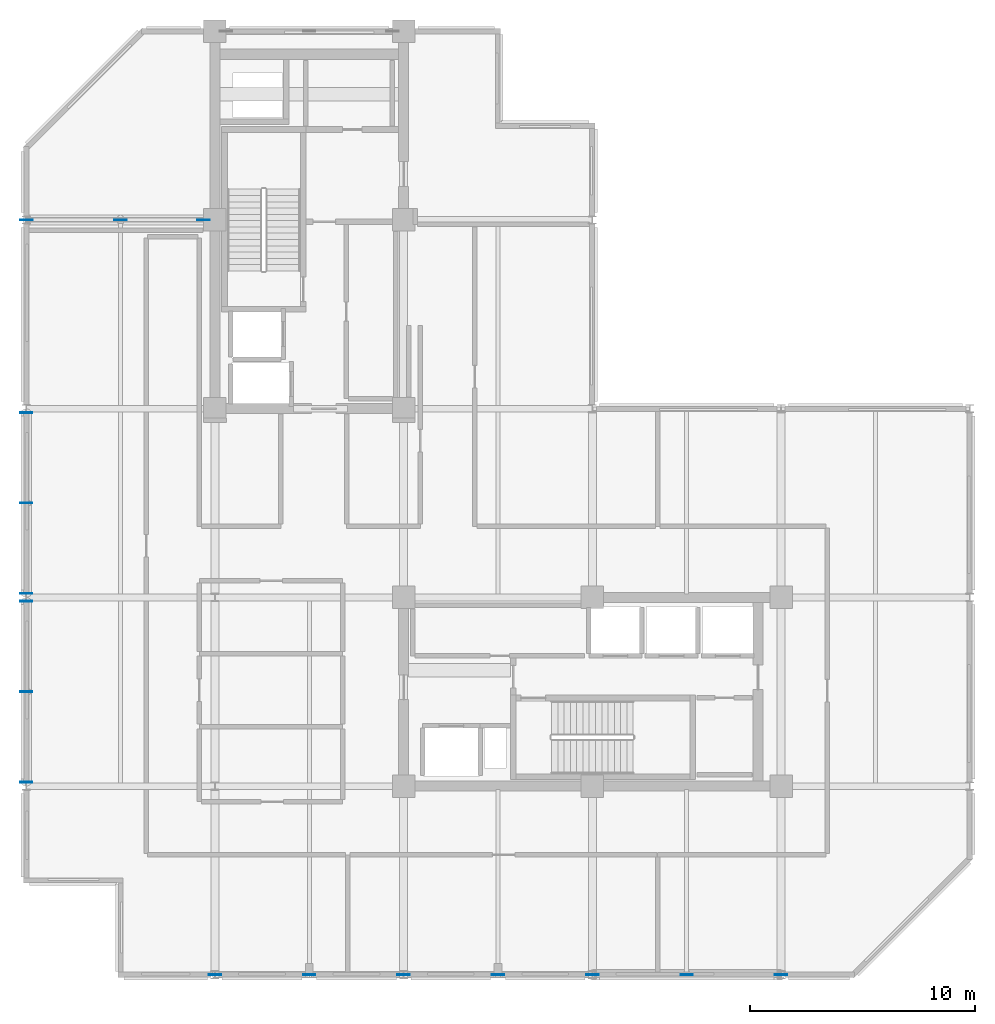
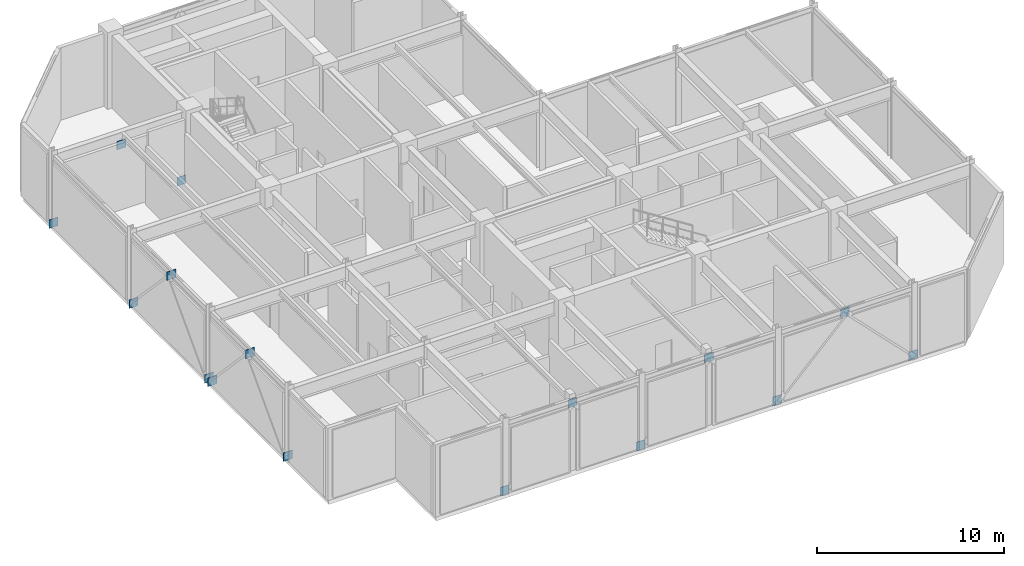
# One storey, part 3 of 10: 16 plates.
"""IFC4 building model written with IfcOpenShell, lengths in metres."""

from ifc_helpers import new_model, si_unit, direction, frame, origin, origin_2d, place, context, subcontext, project, spatial, rectangle, extrude, material, layer, layer_set, type_object, element, save


model = new_model("IFC4")

# Units and contexts
model_context = context("Model", 3, precision=1e-05, world=origin(), true_north=direction((0.0, 1.0)))
body_context = subcontext(model_context, "Body", "Model", "MODEL_VIEW")
ifc_project = project(units=[si_unit("LENGTHUNIT", "METRE"), si_unit("AREAUNIT", "SQUARE_METRE"), si_unit("VOLUMEUNIT", "CUBIC_METRE"), si_unit("PLANEANGLEUNIT", "RADIAN"), si_unit("MASSUNIT", "GRAM", prefix="KILO")], contexts=[model_context])

# Site, building, storey
site_placement = place(None, origin())
site = spatial("IfcSite", under=ifc_project, at=site_placement, CompositionType="ELEMENT")
building_placement = place(site_placement, origin())
building = spatial("IfcBuilding", under=site, at=building_placement, Name="Nerrivon Quay Data Exchange", CompositionType="ELEMENT")
storey_placement = place(building_placement, frame((0.0, 0.0, 245.199951171875)))
storey = spatial("IfcBuildingStorey", under=building, at=storey_placement, Name="L58", CompositionType="ELEMENT", Elevation=245.199951171875)

# Plates
ifc_material = material(Name="Steel Grade 350", Category="steel")
ifc_layer_1 = layer(ifc_material, 0.031982421875)
ifc_layer_set_1 = layer_set([ifc_layer_1], Name="Steel Grade 350")
plate_type_1 = type_object("IfcPlateType", Name="PLT-KNB01", PredefinedType="USERDEFINED", material=ifc_layer_set_1)
for number, where, z_axis, x_axis, name in (
    (1, (8.409912109375, 0.0, -0.09521484375), (0.0, 0.0, 1.0), (1.0, 0.0, 0.0), "L58 node plate 87"),
    (2, (12.60009765625, 0.0, 4.16015625), (0.0, 0.0, 1.0), (1.0, 0.0, 0.0), "L58 node plate 88"),
    (3, (16.7900390625, 0.0, -0.09521484375), (0.0, 0.0, 1.0), (1.0, 0.0, 0.0), "L58 node plate 89"),
):
    element("IfcPlate", number, at=place(storey_placement, frame(where, z_axis=z_axis, x_axis=x_axis)), inside=storey, type_object=plate_type_1, Name=name, ObjectType="GUSSET PLATE", PredefinedType="USERDEFINED", context=body_context, shape_type="SweptSolid", body=[
        extrude(rectangle(XDim=0.550048828125, YDim=0.035888671875, at=origin_2d()), origin(), (0.0, 0.0, 1.0), 0.550048828125),
    ])
ifc_layer_2 = layer(ifc_material, 0.031982421875)
ifc_layer_set_2 = layer_set([ifc_layer_2], Name="Steel Grade 350")
plate_type_2 = type_object("IfcPlateType", Name="PLT-KNK02", PredefinedType="USERDEFINED", material=ifc_layer_set_2)
plate_placement = place(storey_placement, frame((21.0, 0.0, 4.16015625), z_axis=(0.0, 0.0, 1.0), x_axis=(1.0, 0.0, 0.0)))
element("IfcPlate", 4, at=plate_placement, inside=storey, type_object=plate_type_2, Name="L58 node plate 90", ObjectType="GUSSET PLATE", PredefinedType="USERDEFINED", context=body_context, shape_type="SweptSolid", body=[
    extrude(rectangle(XDim=0.550048828125, YDim=0.035888671875, at=origin_2d()), origin(), (0.0, 0.0, 1.0), 0.550048828125),
])
ifc_layer_3 = layer(ifc_material, 0.031982421875)
ifc_layer_set_3 = layer_set([ifc_layer_3], Name="Steel Grade 350")
plate_type_3 = type_object("IfcPlateType", Name="PLT-ON03", PredefinedType="USERDEFINED", material=ifc_layer_set_3)
for number, where, z_axis, x_axis, name in (
    (5, (0.010009765625, 33.60009765625, -0.09521484375), (0.0, 0.0, 1.0), (1.0, 0.0, 0.0), "L58 node plate 75"),
    (6, (4.199951171875, 33.60009765625, 3.56005859375), (0.0, 0.0, 1.0), (1.0, 0.0, 0.0), "L58 node plate 76"),
    (7, (7.89990234375, 33.60009765625, -0.09521484375), (0.0, 0.0, 1.0), (1.0, 0.0, 0.0), "L58 node plate 77"),
    (8, (25.2099609375, 0.0, -0.09521484375), (0.0, 0.0, 1.0), (1.0, 0.0, 0.0), "L58 node plate 78"),
    (9, (29.39990234375, 0.0, 4.16015625), (0.0, 0.0, 1.0), (1.0, 0.0, 0.0), "L58 node plate 79"),
    (10, (33.590087890625, 0.0, -0.09521484375), (0.0, 0.0, 1.0), (1.0, 0.0, 0.0), "L58 node plate 80"),
    (11, (0.0, 8.574951171875, -0.09521484375), (0.0, 0.0, 1.0), (1.0, 0.0, 0.0), "L58 node plate 81"),
    (12, (0.0, 12.60009765625, 4.16015625), (0.0, 0.0, 1.0), (1.0, 0.0, 0.0), "L58 node plate 82"),
    (13, (0.0, 16.625, -0.09521484375), (0.0, 0.0, 1.0), (1.0, 0.0, 0.0), "L58 node plate 83"),
    (14, (0.0, 16.97509765625, -0.09521484375), (0.0, 0.0, 1.0), (1.0, 0.0, 0.0), "L58 node plate 84"),
    (15, (0.0, 21.0, 4.16015625), (0.0, 0.0, 1.0), (1.0, 0.0, 0.0), "L58 node plate 85"),
    (16, (0.0, 25.02490234375, -0.09521484375), (0.0, 0.0, 1.0), (1.0, 0.0, 0.0), "L58 node plate 86"),
):
    element("IfcPlate", number, at=place(storey_placement, frame(where, z_axis=z_axis, x_axis=x_axis)), inside=storey, type_object=plate_type_3, Name=name, ObjectType="GUSSET PLATE", PredefinedType="USERDEFINED", context=body_context, shape_type="SweptSolid", body=[
        extrude(rectangle(XDim=0.550048828125, YDim=0.035888671875, at=origin_2d()), origin(), (0.0, 0.0, 1.0), 0.550048828125),
    ])

save(model, "model.ifc")
